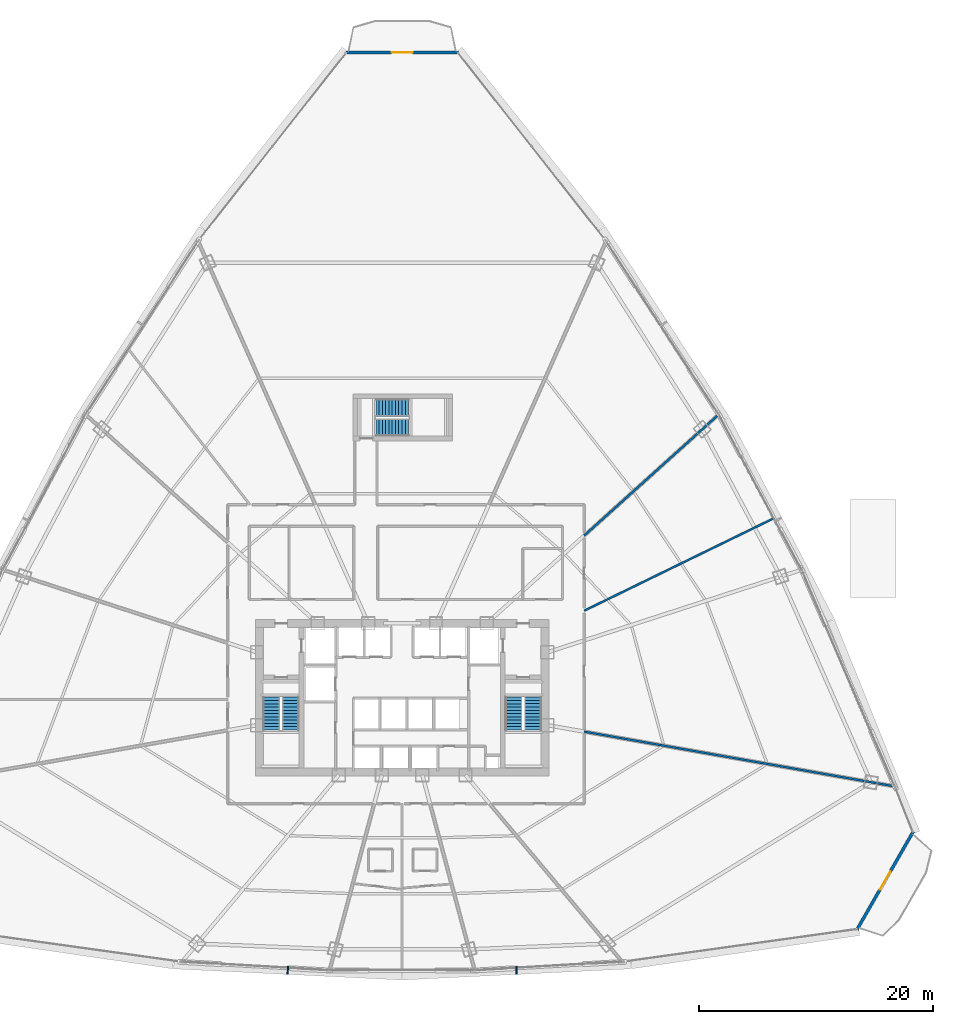
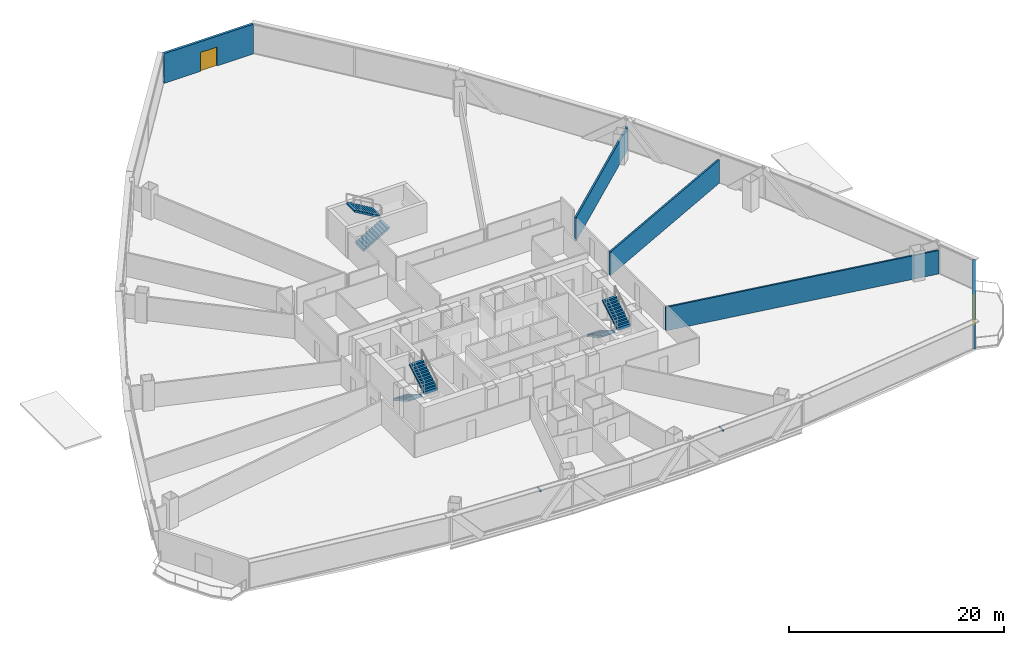
# One storey, part 33 of 38: 6 stair flights, 5 walls, 2 discrete accessories, 2 doors, 2 openings, 3 elements without a shape of their own.
"""IFC4 building model written with IfcOpenShell, lengths in metres."""

from ifc_helpers import new_model, si_unit, direction, frame, frame_2d, origin, origin_with_axes, origin_2d, place, context, subcontext, project, spatial, polyline, rectangle, outline, extrude, source, transform, mapped, material, layer, layer_set, type_object, element, fill, aggregate, save


model = new_model("IFC4")

# Units and contexts
model_context = context("Model", 3, precision=1e-05, world=origin(), true_north=direction((0.0, 1.0)))
body_context = subcontext(model_context, "Body", "Model", "MODEL_VIEW")
ifc_project = project(units=[si_unit("LENGTHUNIT", "METRE"), si_unit("AREAUNIT", "SQUARE_METRE"), si_unit("VOLUMEUNIT", "CUBIC_METRE"), si_unit("PLANEANGLEUNIT", "RADIAN"), si_unit("MASSUNIT", "GRAM", prefix="KILO"), si_unit("THERMODYNAMICTEMPERATUREUNIT", "KELVIN"), si_unit("POWERUNIT", "WATT")], contexts=[model_context])

# Site, building, storey
site_placement = place(None, origin())
site = spatial("IfcSite", under=ifc_project, at=site_placement, CompositionType="ELEMENT")
building_placement = place(site_placement, origin())
building = spatial("IfcBuilding", under=site, at=building_placement, Name="Yunzhuo Pagoda Commons", CompositionType="ELEMENT")
storey_placement = place(building_placement, frame((0.0, 0.0, 30.39990234375)))
storey = spatial("IfcBuildingStorey", under=building, at=storey_placement, Name="L07", CompositionType="ELEMENT", Elevation=30.39990234375)

# Wall, opening, door
ifc_material_1 = material(Name="Precast concrete C40", Category="concrete")
ifc_layer_1 = layer(ifc_material_1, 0.260009765625)
ifc_layer_set_1 = layer_set([ifc_layer_1], Name="Precast concrete C40")
wall_type_1 = type_object("IfcWallType", Name="W-BAL1 Corner Balcony Threshold Wall 260", PredefinedType="STANDARD", material=ifc_layer_set_1)
wall_1_placement = place(storey_placement, frame((86.857666015625, 14.03466796875, 0.0), z_axis=(0.0, 0.0, 1.0), x_axis=(0.497938580997, 0.867212297857, 0.0)))
wall_1 = element("IfcWall", 1, at=wall_1_placement, inside=storey, type_object=wall_type_1, Name="L07 corner balcony wall V2", PredefinedType="STANDARD", context=body_context, shape_type="SweptSolid", body=[
    extrude(rectangle(XDim=9.665771484375, YDim=0.260009765625, at=frame_2d((4.8330078125, 0.0))), origin(), (0.0, 0.0, 1.0), 3.3701171875),
])
opening_1_placement = place(wall_1_placement, frame((3.93310546875, 0.0, 0.0)))
opening_1 = element("IfcOpeningElement", 2, at=opening_1_placement, cuts=wall_1, Name="Opening D-BAL1", PredefinedType="OPENING", context=body_context, shape_type="SweptSolid", body=[
    extrude(rectangle(XDim=1.800048828125, YDim=2.14990234375, at=frame_2d((0.89990234375, 1.074951171875))), frame((0.0, 0.14013671875, 0.0), z_axis=(0.0, -1.0, 0.0), x_axis=(1.0, 0.0, 0.0)), (0.0, 0.0, 1.0), 0.280029296875),
])
ifc_material_2 = material(Name="Anodized aluminium frame and tempered glazed leaf", Category="aluminium")
door_type = type_object("IfcDoorType", Name="D-BAL1 Corner Balcony Sliding Glazed Door 1800x2150", OperationType="DOUBLE_DOOR_SLIDING", PredefinedType="DOOR", material=ifc_material_2)
shared_shape_1 = source(origin(), body_context, "Body", "SweptSolid", [
    extrude(rectangle(XDim=1.800048828125, YDim=2.14990234375, at=frame_2d((0.89990234375, 1.074951171875))), frame((0.0, 0.02490234375, 0.0), z_axis=(0.0, -1.0, 0.0), x_axis=(1.0, 0.0, 0.0)), (0.0, 0.0, 1.0), 0.050048828125),
])
door_1_placement = place(opening_1_placement, origin_with_axes())
door_1 = element("IfcDoor", 3, at=door_1_placement, inside=storey, type_object=door_type, Name="L07 corner balcony sliding door V2", OperationType="DOUBLE_DOOR_SLIDING", OverallHeight=2.14990234375, OverallWidth=1.800048828125, PredefinedType="DOOR", context=body_context, shape_type="MappedRepresentation", body=[
    mapped(shared_shape_1, transform((0.0, 0.0, 0.0), scale=1.0)),
])
fill(opening_1, door_1)

wall_2_placement = place(storey_placement, frame((52.813720703125, 88.980712890625, 0.0), z_axis=(0.0, 0.0, 1.0), x_axis=(-1.0, 0.0, 0.0)))
wall_2 = element("IfcWall", 4, at=wall_2_placement, inside=storey, type_object=wall_type_1, Name="L07 corner balcony wall V3", PredefinedType="STANDARD", context=body_context, shape_type="SweptSolid", body=[
    extrude(rectangle(XDim=9.62744140625, YDim=0.260009765625, at=frame_2d((4.813720703125, 0.0))), origin(), (0.0, 0.0, 1.0), 3.3701171875),
])
opening_2_placement = place(wall_2_placement, frame((3.91357421875, 0.0, 0.0)))
opening_2 = element("IfcOpeningElement", 5, at=opening_2_placement, cuts=wall_2, Name="Opening D-BAL1", PredefinedType="OPENING", context=body_context, shape_type="SweptSolid", body=[
    extrude(rectangle(XDim=1.800048828125, YDim=2.14990234375, at=frame_2d((0.89990234375, 1.074951171875))), frame((0.0, 0.14013671875, 0.0), z_axis=(0.0, -1.0, 0.0), x_axis=(1.0, 0.0, 0.0)), (0.0, 0.0, 1.0), 0.280029296875),
])
door_2_placement = place(opening_2_placement, origin_with_axes())
door_2 = element("IfcDoor", 6, at=door_2_placement, inside=storey, type_object=door_type, Name="L07 corner balcony sliding door V3", OperationType="DOUBLE_DOOR_SLIDING", OverallHeight=2.14990234375, OverallWidth=1.800048828125, PredefinedType="DOOR", context=body_context, shape_type="MappedRepresentation", body=[
    mapped(shared_shape_1, transform((0.0, 0.0, 0.0), scale=1.0)),
])
fill(opening_2, door_2)

# Walls
ifc_material_3 = material(Name="Gypsum plasterboard on acoustic stud")
ifc_layer_2 = layer(ifc_material_3, 0.179931640625)
ifc_layer_set_2 = layer_set([ifc_layer_2], Name="Gypsum plasterboard on acoustic stud")
wall_type_2 = type_object("IfcWallType", Name="W-PRT2 Acoustic Unit Demising Wall 180", PredefinedType="PARTITIONING", material=ifc_layer_set_2)
wall_3_placement = place(storey_placement, frame((63.550048828125, 41.2841796875, 0.0), z_axis=(0.0, 0.0, 1.0), x_axis=(0.898792344086, 0.438374636825, 0.0)))
element("IfcWall", 7, at=wall_3_placement, inside=storey, type_object=wall_type_2, Name="L07 interior wall IW-L07-RAD01", PredefinedType="PARTITIONING", context=body_context, shape_type="SweptSolid", body=[
    extrude(rectangle(XDim=18.064453125, YDim=0.179931640625, at=frame_2d((9.0322265625, 0.0))), origin(), (0.0, 0.0, 1.0), 2.670166015625),
])
wall_4_placement = place(storey_placement, frame((63.550048828125, 47.701416015625, 0.0), z_axis=(0.0, 0.0, 1.0), x_axis=(0.743145159556, 0.669130235326, 0.0)))
element("IfcWall", 8, at=wall_4_placement, inside=storey, type_object=wall_type_2, Name="L07 interior wall IW-L07-RAD02", PredefinedType="PARTITIONING", context=body_context, shape_type="SweptSolid", body=[
    extrude(rectangle(XDim=15.4833984375, YDim=0.179931640625, at=frame_2d((7.74169921875, 0.0))), origin(), (0.0, 0.0, 1.0), 2.670166015625),
])
wall_5_placement = place(storey_placement, frame((63.550048828125, 30.9580078125, 0.0), z_axis=(0.0, 0.0, 1.0), x_axis=(0.984807983054, -0.17364687303, 0.0)))
element("IfcWall", 9, at=wall_5_placement, inside=storey, type_object=wall_type_2, Name="L07 interior wall IW-L07-RAD14", PredefinedType="PARTITIONING", context=body_context, shape_type="SweptSolid", body=[
    extrude(rectangle(XDim=26.957763671875, YDim=0.179931640625, at=frame_2d((13.47900390625, 0.0))), origin(), (0.0, 0.0, 1.0), 2.670166015625),
])

# Stair, stair flights
ifc_material_4 = material(Name="Concrete C40", Category="concrete")
stair_type_1 = type_object("IfcStairType", Name="ST-C1 Core Smokeproof Stair ST1", PredefinedType="HALF_TURN_STAIR", material=ifc_material_4)
stair_1_placement = place(storey_placement, origin())
stair_1 = element("IfcStair", 10, at=stair_1_placement, inside=storey, type_object=stair_type_1, Name="L07 Core smokeproof stair ST1", PredefinedType="HALF_TURN_STAIR")
stair_flight_type_1 = type_object("IfcStairFlightType", Name="STF-C1 Core Stair Flight 1450", PredefinedType="STRAIGHT", material=ifc_material_4)
shared_shape_2 = source(origin(), body_context, "Body", "SweptSolid", [
    extrude(outline(polyline([(0.0, -0.14990234375), (0.0, 0.0), (0.0, 0.1650390625), (0.280029296875, 0.1650390625), (0.280029296875, 0.330078125), (0.56005859375, 0.330078125), (0.56005859375, 0.4951171875), (0.840087890625, 0.4951171875), (0.840087890625, 0.659912109375), (1.1201171875, 0.659912109375), (1.1201171875, 0.824951171875), (1.39990234375, 0.824951171875), (1.39990234375, 0.989990234375), (1.679931640625, 0.989990234375), (1.679931640625, 1.155029296875), (1.9599609375, 1.155029296875), (1.9599609375, 1.320068359375), (2.239990234375, 1.320068359375), (2.239990234375, 1.485107421875), (2.52001953125, 1.485107421875), (2.52001953125, 1.64990234375), (2.800048828125, 1.64990234375), (2.800048828125, 1.81494140625), (2.800048828125, 1.47607421875), (0.295166015625, 0.0), (0.050048828125, -0.14990234375), (0.0, -0.14990234375)])), frame((0.0, 0.72509765625, 0.0), z_axis=(0.0, -1.0, 0.0), x_axis=(1.0, 0.0, 0.0)), (0.0, 0.0, 1.0), 1.449951171875),
])
stair_flight_1_placement = place(storey_placement, frame((36.824951171875, 33.89990234375, 0.0), z_axis=(0.0, 0.0, 1.0), x_axis=(0.0, -1.0, 0.0)))
stair_flight_1 = element("IfcStairFlight", 11, at=stair_flight_1_placement, type_object=stair_flight_type_1, Name="ST1 flight 1", NumberOfRisers=11, NumberOfTreads=10, PredefinedType="STRAIGHT", RiserHeight=0.165, TreadLength=0.28, context=body_context, shape_type="MappedRepresentation", body=[
    mapped(shared_shape_2, transform((0.0, 0.0, 0.0), scale=1.0)),
])
stair_flight_2_placement = place(storey_placement, frame((38.47509765625, 31.10009765625, 1.815185546875), z_axis=(0.0, 0.0, 1.0), x_axis=(0.0, 1.0, 0.0)))
stair_flight_2 = element("IfcStairFlight", 12, at=stair_flight_2_placement, type_object=stair_flight_type_1, Name="ST1 flight 2", NumberOfRisers=11, NumberOfTreads=10, PredefinedType="STRAIGHT", RiserHeight=0.165, TreadLength=0.28, context=body_context, shape_type="MappedRepresentation", body=[
    mapped(shared_shape_2, transform((0.0, 0.0, 0.0), scale=1.0)),
])
aggregate(stair_1, [stair_flight_1, stair_flight_2])

stair_type_2 = type_object("IfcStairType", Name="ST-C2 Core Smokeproof Stair ST2", PredefinedType="HALF_TURN_STAIR", material=ifc_material_4)
stair_2_placement = place(storey_placement, origin())
stair_2 = element("IfcStair", 13, at=stair_2_placement, inside=storey, type_object=stair_type_2, Name="L07 Core smokeproof stair ST2", PredefinedType="HALF_TURN_STAIR")
stair_flight_type_2 = type_object("IfcStairFlightType", Name="STF-C2 Core Stair Flight 1460", PredefinedType="STRAIGHT", material=ifc_material_4)
stair_flight_3_placement = place(storey_placement, frame((57.52490234375, 33.89990234375, 0.0), z_axis=(0.0, 0.0, 1.0), x_axis=(0.0, -1.0, 0.0)))
stair_flight_3 = element("IfcStairFlight", 14, at=stair_flight_3_placement, type_object=stair_flight_type_2, Name="ST2 flight 1", NumberOfRisers=11, NumberOfTreads=10, PredefinedType="STRAIGHT", RiserHeight=0.165, TreadLength=0.28, context=body_context, shape_type="MappedRepresentation", body=[
    mapped(shared_shape_2, transform((0.0, 0.0, 0.0), scale=1.0)),
])
stair_flight_4_placement = place(storey_placement, frame((59.175048828125, 31.10009765625, 1.815185546875), z_axis=(0.0, 0.0, 1.0), x_axis=(0.0, 1.0, 0.0)))
stair_flight_4 = element("IfcStairFlight", 15, at=stair_flight_4_placement, type_object=stair_flight_type_2, Name="ST2 flight 2", NumberOfRisers=11, NumberOfTreads=10, PredefinedType="STRAIGHT", RiserHeight=0.165, TreadLength=0.28, context=body_context, shape_type="MappedRepresentation", body=[
    mapped(shared_shape_2, transform((0.0, 0.0, 0.0), scale=1.0)),
])
aggregate(stair_2, [stair_flight_3, stair_flight_4])

stair_type_3 = type_object("IfcStairType", Name="ST-C3 North Tower Smokeproof Stair ST3", PredefinedType="HALF_TURN_STAIR", material=ifc_material_4)
stair_3_placement = place(storey_placement, origin())
stair_3 = element("IfcStair", 16, at=stair_3_placement, inside=storey, type_object=stair_type_3, Name="L07 North tower smokeproof stair ST3", PredefinedType="HALF_TURN_STAIR")
stair_flight_type_3 = type_object("IfcStairFlightType", Name="STF-C3 North Stair Flight 1500", PredefinedType="STRAIGHT", material=ifc_material_4)
shared_shape_3 = source(origin(), body_context, "Body", "SweptSolid", [
    extrude(outline(polyline([(0.0, -0.14990234375), (0.0, 0.0), (0.0, 0.1650390625), (0.280029296875, 0.1650390625), (0.280029296875, 0.330078125), (0.56005859375, 0.330078125), (0.56005859375, 0.4951171875), (0.840087890625, 0.4951171875), (0.840087890625, 0.659912109375), (1.1201171875, 0.659912109375), (1.1201171875, 0.824951171875), (1.39990234375, 0.824951171875), (1.39990234375, 0.989990234375), (1.679931640625, 0.989990234375), (1.679931640625, 1.155029296875), (1.9599609375, 1.155029296875), (1.9599609375, 1.320068359375), (2.239990234375, 1.320068359375), (2.239990234375, 1.485107421875), (2.52001953125, 1.485107421875), (2.52001953125, 1.64990234375), (2.800048828125, 1.64990234375), (2.800048828125, 1.81494140625), (2.800048828125, 1.47607421875), (0.295166015625, 0.0), (0.050048828125, -0.14990234375), (0.0, -0.14990234375)])), frame((0.0, 0.75, 0.0), z_axis=(0.0, -1.0, 0.0), x_axis=(1.0, 0.0, 0.0)), (0.0, 0.0, 1.0), 1.5),
])
stair_flight_5_placement = place(storey_placement, frame((45.75, 56.949951171875, 0.0), z_axis=(0.0, 0.0, 1.0), x_axis=(1.0, 0.0, 0.0)))
stair_flight_5 = element("IfcStairFlight", 17, at=stair_flight_5_placement, type_object=stair_flight_type_3, Name="ST3 flight 1", NumberOfRisers=11, NumberOfTreads=10, PredefinedType="STRAIGHT", RiserHeight=0.165, TreadLength=0.28, context=body_context, shape_type="MappedRepresentation", body=[
    mapped(shared_shape_3, transform((0.0, 0.0, 0.0), scale=1.0)),
])
stair_flight_6_placement = place(storey_placement, frame((48.550048828125, 58.64990234375, 1.815185546875), z_axis=(0.0, 0.0, 1.0), x_axis=(-1.0, 0.0, 0.0)))
stair_flight_6 = element("IfcStairFlight", 18, at=stair_flight_6_placement, type_object=stair_flight_type_3, Name="ST3 flight 2", NumberOfRisers=11, NumberOfTreads=10, PredefinedType="STRAIGHT", RiserHeight=0.165, TreadLength=0.28, context=body_context, shape_type="MappedRepresentation", body=[
    mapped(shared_shape_3, transform((0.0, 0.0, 0.0), scale=1.0)),
])
aggregate(stair_3, [stair_flight_5, stair_flight_6])

# Discrete accessories
ifc_material_5 = material(Name="Anodized aluminium 6063-T6", Category="aluminium")
discrete_accessory_type = type_object("IfcDiscreteAccessoryType", Name="BK-SUN1 Sunshade Outrigger Bracket", PredefinedType="BRACKET", material=ifc_material_5)
shared_shape_4 = source(origin(), body_context, "Body", "SweptSolid", [
    extrude(rectangle(XDim=0.1201171875, YDim=0.679931640625, at=origin_2d()), origin(), (0.0, 0.0, 1.0), 0.179931640625),
])
for number, where, z_axis, x_axis, name in (
    (19, (38.22900390625, 10.5751953125, 3.16015625), (0.0, 0.0, 1.0), (0.998818043775, -0.04860571396, 0.0), "L07 sunshade outrigger bracket F1.2"),
    (20, (57.77099609375, 10.5751953125, 3.16015625), (0.0, 0.0, 1.0), (0.998818043775, 0.04860571396, 0.0), "L07 sunshade outrigger bracket F1.3"),
):
    element("IfcDiscreteAccessory", number, at=place(storey_placement, frame(where, z_axis=z_axis, x_axis=x_axis)), inside=storey, type_object=discrete_accessory_type, Name=name, PredefinedType="BRACKET", context=body_context, shape_type="MappedRepresentation", body=[
        mapped(shared_shape_4, transform((0.0, 0.0, 0.0), scale=1.0)),
    ])

save(model, "model.ifc")
